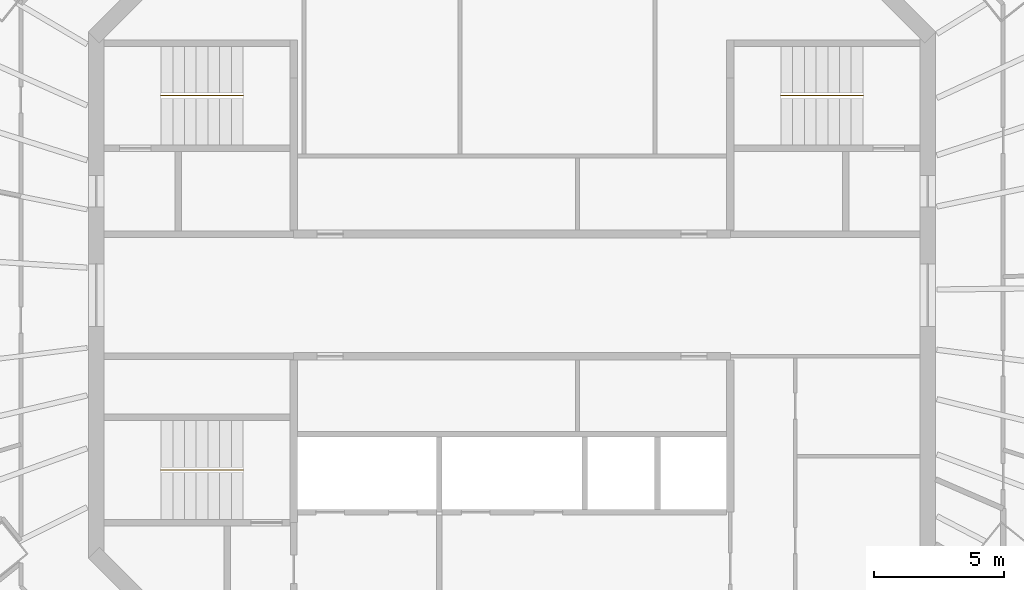
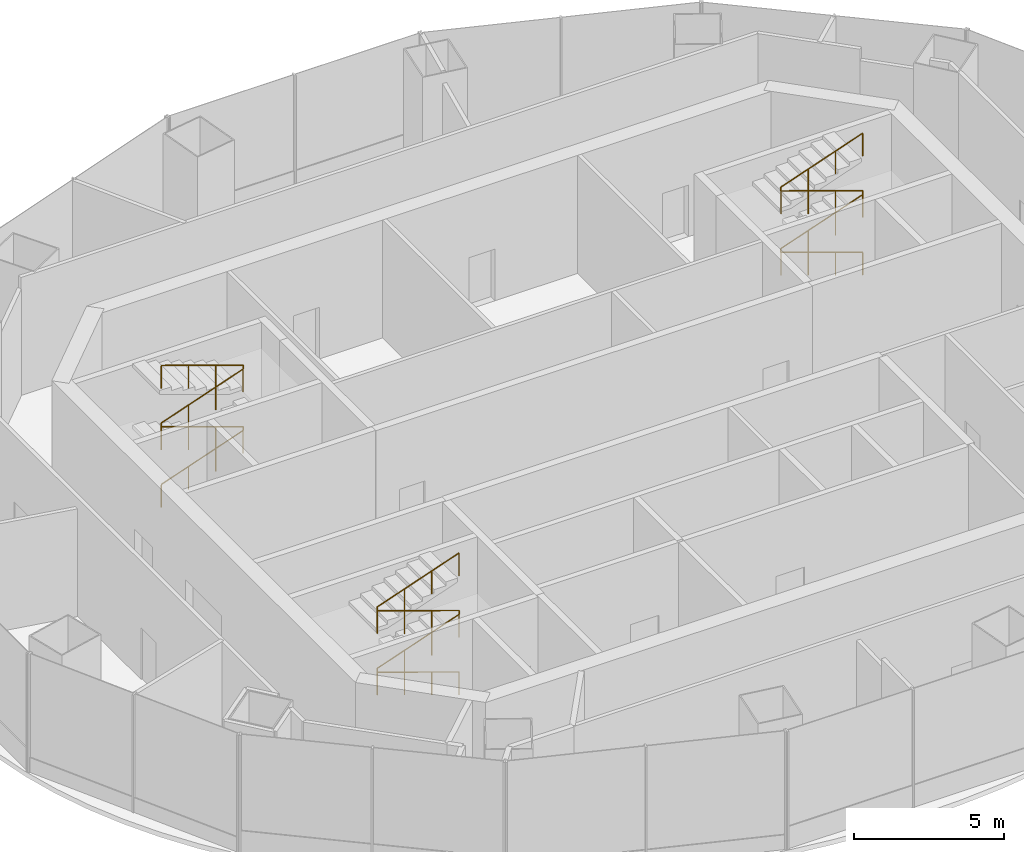
# One storey, part 12 of 12: 3 railings.
"""IFC4 building model written with IfcOpenShell, lengths in metres."""

from ifc_helpers import new_model, si_unit, direction, frame, origin, origin_2d, place, context, subcontext, project, spatial, circle, extrude, material, type_object, element, save


model = new_model("IFC4")

# Units and contexts
model_context = context("Model", 3, precision=1e-05, world=origin(), true_north=direction((0.0, 1.0)))
body_context = subcontext(model_context, "Body", "Model", "MODEL_VIEW")
ifc_project = project(units=[si_unit("LENGTHUNIT", "METRE"), si_unit("AREAUNIT", "SQUARE_METRE"), si_unit("VOLUMEUNIT", "CUBIC_METRE"), si_unit("PLANEANGLEUNIT", "RADIAN"), si_unit("MASSUNIT", "GRAM", prefix="KILO")], contexts=[model_context])

# Site, building, storey
site_placement = place(None, origin())
site = spatial("IfcSite", under=ifc_project, at=site_placement, CompositionType="ELEMENT")
building_placement = place(site_placement, origin())
building = spatial("IfcBuilding", under=site, at=building_placement, Name="Marenthal Gate Tower", CompositionType="ELEMENT")
storey_placement = place(building_placement, frame((0.0, 0.0, 413.550048828125)))
storey = spatial("IfcBuildingStorey", under=building, at=storey_placement, Name="L93", CompositionType="ELEMENT", Elevation=413.550048828125)

# Railings
ifc_material = material(Name="Stainless steel", Category="steel")
railing_type = type_object("IfcRailingType", Name="Stair handrail", PredefinedType="HANDRAIL", material=ifc_material)
railing_1_placement = place(storey_placement, frame((-13.5, 7.675048828125, 0.15625)))
element("IfcRailing", 1, at=railing_1_placement, inside=storey, type_object=railing_type, Name="Handrail ST1", PredefinedType="HANDRAIL", context=body_context, shape_type="SweptSolid", body=[
    extrude(circle(Radius=0.0224609375, at=origin_2d()), frame((0.0, 0.0, 0.927490234375), z_axis=(0.944670513093, 0.0, 0.328020764118), x_axis=(0.0, 1.0, 0.0)), (0.0, 0.0, 1.0), 3.33447265625),
    extrude(circle(Radius=0.0224609375, at=origin_2d()), frame((3.14990234375, 0.0, 2.021240234375), z_axis=(0.0, 0.0, 1.0), x_axis=(1.0, 0.0, 0.0)), (0.0, 0.0, 1.0), 0.15625),
    extrude(circle(Radius=0.0224609375, at=origin_2d()), frame((3.14990234375, 0.0, 2.177490234375), z_axis=(-0.944670513093, 0.0, 0.328020764118), x_axis=(0.0, -1.0, 0.0)), (0.0, 0.0, 1.0), 3.33447265625),
    extrude(circle(Radius=0.0224609375, at=origin_2d()), frame((0.0, 0.0, 3.271240234375), z_axis=(0.0, 0.0, 1.0), x_axis=(1.0, 0.0, 0.0)), (0.0, 0.0, 1.0), 0.15625),
    extrude(circle(Radius=0.0224609375, at=origin_2d()), frame((0.0, 0.0, 3.427490234375), z_axis=(0.944670513093, 0.0, 0.328020764118), x_axis=(0.0, 1.0, 0.0)), (0.0, 0.0, 1.0), 3.33447265625),
    extrude(circle(Radius=0.0224609375, at=origin_2d()), frame((3.14990234375, 0.0, 4.521240234375), z_axis=(0.0, 0.0, 1.0), x_axis=(1.0, 0.0, 0.0)), (0.0, 0.0, 1.0), 0.15625),
    extrude(circle(Radius=0.0224609375, at=origin_2d()), frame((3.14990234375, 0.0, 4.677490234375), z_axis=(-0.944670513093, 0.0, 0.328020764118), x_axis=(0.0, -1.0, 0.0)), (0.0, 0.0, 1.0), 3.33447265625),
    extrude(circle(Radius=0.02001953125, at=origin_2d()), origin(), (0.0, 0.0, 1.0), 0.905029296875),
    extrude(circle(Radius=0.02001953125, at=origin_2d()), frame((1.050048828125, 0.0, 0.364501953125)), (0.0, 0.0, 1.0), 0.905029296875),
    extrude(circle(Radius=0.02001953125, at=origin_2d()), frame((2.099853515625, 0.0, 0.729248046875)), (0.0, 0.0, 1.0), 0.905029296875),
    extrude(circle(Radius=0.02001953125, at=origin_2d()), frame((3.14990234375, 0.0, 1.09375)), (0.0, 0.0, 1.0), 0.905029296875),
    extrude(circle(Radius=0.02001953125, at=origin_2d()), frame((3.14990234375, 0.0, 1.25)), (0.0, 0.0, 1.0), 0.905029296875),
    extrude(circle(Radius=0.02001953125, at=origin_2d()), frame((2.099853515625, 0.0, 1.614501953125)), (0.0, 0.0, 1.0), 0.905029296875),
    extrude(circle(Radius=0.02001953125, at=origin_2d()), frame((1.050048828125, 0.0, 1.979248046875)), (0.0, 0.0, 1.0), 0.905029296875),
    extrude(circle(Radius=0.02001953125, at=origin_2d()), frame((0.0, 0.0, 2.34375)), (0.0, 0.0, 1.0), 0.905029296875),
    extrude(circle(Radius=0.02001953125, at=origin_2d()), frame((0.0, 0.0, 2.5)), (0.0, 0.0, 1.0), 0.905029296875),
    extrude(circle(Radius=0.02001953125, at=origin_2d()), frame((1.050048828125, 0.0, 2.864501953125)), (0.0, 0.0, 1.0), 0.905029296875),
    extrude(circle(Radius=0.02001953125, at=origin_2d()), frame((2.099853515625, 0.0, 3.229248046875)), (0.0, 0.0, 1.0), 0.905029296875),
    extrude(circle(Radius=0.02001953125, at=origin_2d()), frame((3.14990234375, 0.0, 3.59375)), (0.0, 0.0, 1.0), 0.905029296875),
    extrude(circle(Radius=0.02001953125, at=origin_2d()), frame((3.14990234375, 0.0, 3.75)), (0.0, 0.0, 1.0), 0.905029296875),
    extrude(circle(Radius=0.02001953125, at=origin_2d()), frame((2.099853515625, 0.0, 4.114501953125)), (0.0, 0.0, 1.0), 0.905029296875),
    extrude(circle(Radius=0.02001953125, at=origin_2d()), frame((1.050048828125, 0.0, 4.479248046875)), (0.0, 0.0, 1.0), 0.905029296875),
    extrude(circle(Radius=0.02001953125, at=origin_2d()), frame((0.0, 0.0, 4.84375)), (0.0, 0.0, 1.0), 0.905029296875),
])
railing_2_placement = place(storey_placement, frame((-10.35009765625, -6.72509765625, 0.15625)))
element("IfcRailing", 2, at=railing_2_placement, inside=storey, type_object=railing_type, Name="Handrail ST2", PredefinedType="HANDRAIL", context=body_context, shape_type="SweptSolid", body=[
    extrude(circle(Radius=0.0224609375, at=origin_2d()), frame((0.0, 0.0, 0.927490234375), z_axis=(-0.944670513093, 0.0, 0.328020764118), x_axis=(0.0, -1.0, 0.0)), (0.0, 0.0, 1.0), 3.33447265625),
    extrude(circle(Radius=0.0224609375, at=origin_2d()), frame((-3.14990234375, 0.0, 2.021240234375), z_axis=(0.0, 0.0, 1.0), x_axis=(1.0, 0.0, 0.0)), (0.0, 0.0, 1.0), 0.15625),
    extrude(circle(Radius=0.0224609375, at=origin_2d()), frame((-3.14990234375, 0.0, 2.177490234375), z_axis=(0.944670513093, 0.0, 0.328020764118), x_axis=(0.0, 1.0, 0.0)), (0.0, 0.0, 1.0), 3.33447265625),
    extrude(circle(Radius=0.0224609375, at=origin_2d()), frame((0.0, 0.0, 3.271240234375), z_axis=(0.0, 0.0, 1.0), x_axis=(1.0, 0.0, 0.0)), (0.0, 0.0, 1.0), 0.15625),
    extrude(circle(Radius=0.0224609375, at=origin_2d()), frame((0.0, 0.0, 3.427490234375), z_axis=(-0.944670513093, 0.0, 0.328020764118), x_axis=(0.0, -1.0, 0.0)), (0.0, 0.0, 1.0), 3.33447265625),
    extrude(circle(Radius=0.0224609375, at=origin_2d()), frame((-3.14990234375, 0.0, 4.521240234375), z_axis=(0.0, 0.0, 1.0), x_axis=(1.0, 0.0, 0.0)), (0.0, 0.0, 1.0), 0.15625),
    extrude(circle(Radius=0.0224609375, at=origin_2d()), frame((-3.14990234375, 0.0, 4.677490234375), z_axis=(0.944670513093, 0.0, 0.328020764118), x_axis=(0.0, 1.0, 0.0)), (0.0, 0.0, 1.0), 3.33447265625),
    extrude(circle(Radius=0.02001953125, at=origin_2d()), origin(), (0.0, 0.0, 1.0), 0.905029296875),
    extrude(circle(Radius=0.02001953125, at=origin_2d()), frame((-1.050048828125, 0.0, 0.364501953125)), (0.0, 0.0, 1.0), 0.905029296875),
    extrude(circle(Radius=0.02001953125, at=origin_2d()), frame((-2.099853515625, 0.0, 0.729248046875)), (0.0, 0.0, 1.0), 0.905029296875),
    extrude(circle(Radius=0.02001953125, at=origin_2d()), frame((-3.14990234375, 0.0, 1.09375)), (0.0, 0.0, 1.0), 0.905029296875),
    extrude(circle(Radius=0.02001953125, at=origin_2d()), frame((-3.14990234375, 0.0, 1.25)), (0.0, 0.0, 1.0), 0.905029296875),
    extrude(circle(Radius=0.02001953125, at=origin_2d()), frame((-2.099853515625, 0.0, 1.614501953125)), (0.0, 0.0, 1.0), 0.905029296875),
    extrude(circle(Radius=0.02001953125, at=origin_2d()), frame((-1.050048828125, 0.0, 1.979248046875)), (0.0, 0.0, 1.0), 0.905029296875),
    extrude(circle(Radius=0.02001953125, at=origin_2d()), frame((0.0, 0.0, 2.34375)), (0.0, 0.0, 1.0), 0.905029296875),
    extrude(circle(Radius=0.02001953125, at=origin_2d()), frame((0.0, 0.0, 2.5)), (0.0, 0.0, 1.0), 0.905029296875),
    extrude(circle(Radius=0.02001953125, at=origin_2d()), frame((-1.050048828125, 0.0, 2.864501953125)), (0.0, 0.0, 1.0), 0.905029296875),
    extrude(circle(Radius=0.02001953125, at=origin_2d()), frame((-2.099853515625, 0.0, 3.229248046875)), (0.0, 0.0, 1.0), 0.905029296875),
    extrude(circle(Radius=0.02001953125, at=origin_2d()), frame((-3.14990234375, 0.0, 3.59375)), (0.0, 0.0, 1.0), 0.905029296875),
    extrude(circle(Radius=0.02001953125, at=origin_2d()), frame((-3.14990234375, 0.0, 3.75)), (0.0, 0.0, 1.0), 0.905029296875),
    extrude(circle(Radius=0.02001953125, at=origin_2d()), frame((-2.099853515625, 0.0, 4.114501953125)), (0.0, 0.0, 1.0), 0.905029296875),
    extrude(circle(Radius=0.02001953125, at=origin_2d()), frame((-1.050048828125, 0.0, 4.479248046875)), (0.0, 0.0, 1.0), 0.905029296875),
    extrude(circle(Radius=0.02001953125, at=origin_2d()), frame((0.0, 0.0, 4.84375)), (0.0, 0.0, 1.0), 0.905029296875),
])
railing_3_placement = place(storey_placement, frame((13.5, 7.675048828125, 0.15625)))
element("IfcRailing", 3, at=railing_3_placement, inside=storey, type_object=railing_type, Name="Handrail ST3", PredefinedType="HANDRAIL", context=body_context, shape_type="SweptSolid", body=[
    extrude(circle(Radius=0.0224609375, at=origin_2d()), frame((0.0, 0.0, 0.927490234375), z_axis=(-0.944670513093, 0.0, 0.328020764118), x_axis=(0.0, -1.0, 0.0)), (0.0, 0.0, 1.0), 3.33447265625),
    extrude(circle(Radius=0.0224609375, at=origin_2d()), frame((-3.14990234375, 0.0, 2.021240234375), z_axis=(0.0, 0.0, 1.0), x_axis=(1.0, 0.0, 0.0)), (0.0, 0.0, 1.0), 0.15625),
    extrude(circle(Radius=0.0224609375, at=origin_2d()), frame((-3.14990234375, 0.0, 2.177490234375), z_axis=(0.944670513093, 0.0, 0.328020764118), x_axis=(0.0, 1.0, 0.0)), (0.0, 0.0, 1.0), 3.33447265625),
    extrude(circle(Radius=0.0224609375, at=origin_2d()), frame((0.0, 0.0, 3.271240234375), z_axis=(0.0, 0.0, 1.0), x_axis=(1.0, 0.0, 0.0)), (0.0, 0.0, 1.0), 0.15625),
    extrude(circle(Radius=0.0224609375, at=origin_2d()), frame((0.0, 0.0, 3.427490234375), z_axis=(-0.944670513093, 0.0, 0.328020764118), x_axis=(0.0, -1.0, 0.0)), (0.0, 0.0, 1.0), 3.33447265625),
    extrude(circle(Radius=0.0224609375, at=origin_2d()), frame((-3.14990234375, 0.0, 4.521240234375), z_axis=(0.0, 0.0, 1.0), x_axis=(1.0, 0.0, 0.0)), (0.0, 0.0, 1.0), 0.15625),
    extrude(circle(Radius=0.0224609375, at=origin_2d()), frame((-3.14990234375, 0.0, 4.677490234375), z_axis=(0.944670513093, 0.0, 0.328020764118), x_axis=(0.0, 1.0, 0.0)), (0.0, 0.0, 1.0), 3.33447265625),
    extrude(circle(Radius=0.02001953125, at=origin_2d()), origin(), (0.0, 0.0, 1.0), 0.905029296875),
    extrude(circle(Radius=0.02001953125, at=origin_2d()), frame((-1.050048828125, 0.0, 0.364501953125)), (0.0, 0.0, 1.0), 0.905029296875),
    extrude(circle(Radius=0.02001953125, at=origin_2d()), frame((-2.099853515625, 0.0, 0.729248046875)), (0.0, 0.0, 1.0), 0.905029296875),
    extrude(circle(Radius=0.02001953125, at=origin_2d()), frame((-3.14990234375, 0.0, 1.09375)), (0.0, 0.0, 1.0), 0.905029296875),
    extrude(circle(Radius=0.02001953125, at=origin_2d()), frame((-3.14990234375, 0.0, 1.25)), (0.0, 0.0, 1.0), 0.905029296875),
    extrude(circle(Radius=0.02001953125, at=origin_2d()), frame((-2.099853515625, 0.0, 1.614501953125)), (0.0, 0.0, 1.0), 0.905029296875),
    extrude(circle(Radius=0.02001953125, at=origin_2d()), frame((-1.050048828125, 0.0, 1.979248046875)), (0.0, 0.0, 1.0), 0.905029296875),
    extrude(circle(Radius=0.02001953125, at=origin_2d()), frame((0.0, 0.0, 2.34375)), (0.0, 0.0, 1.0), 0.905029296875),
    extrude(circle(Radius=0.02001953125, at=origin_2d()), frame((0.0, 0.0, 2.5)), (0.0, 0.0, 1.0), 0.905029296875),
    extrude(circle(Radius=0.02001953125, at=origin_2d()), frame((-1.050048828125, 0.0, 2.864501953125)), (0.0, 0.0, 1.0), 0.905029296875),
    extrude(circle(Radius=0.02001953125, at=origin_2d()), frame((-2.099853515625, 0.0, 3.229248046875)), (0.0, 0.0, 1.0), 0.905029296875),
    extrude(circle(Radius=0.02001953125, at=origin_2d()), frame((-3.14990234375, 0.0, 3.59375)), (0.0, 0.0, 1.0), 0.905029296875),
    extrude(circle(Radius=0.02001953125, at=origin_2d()), frame((-3.14990234375, 0.0, 3.75)), (0.0, 0.0, 1.0), 0.905029296875),
    extrude(circle(Radius=0.02001953125, at=origin_2d()), frame((-2.099853515625, 0.0, 4.114501953125)), (0.0, 0.0, 1.0), 0.905029296875),
    extrude(circle(Radius=0.02001953125, at=origin_2d()), frame((-1.050048828125, 0.0, 4.479248046875)), (0.0, 0.0, 1.0), 0.905029296875),
    extrude(circle(Radius=0.02001953125, at=origin_2d()), frame((0.0, 0.0, 4.84375)), (0.0, 0.0, 1.0), 0.905029296875),
])

save(model, "model.ifc")
